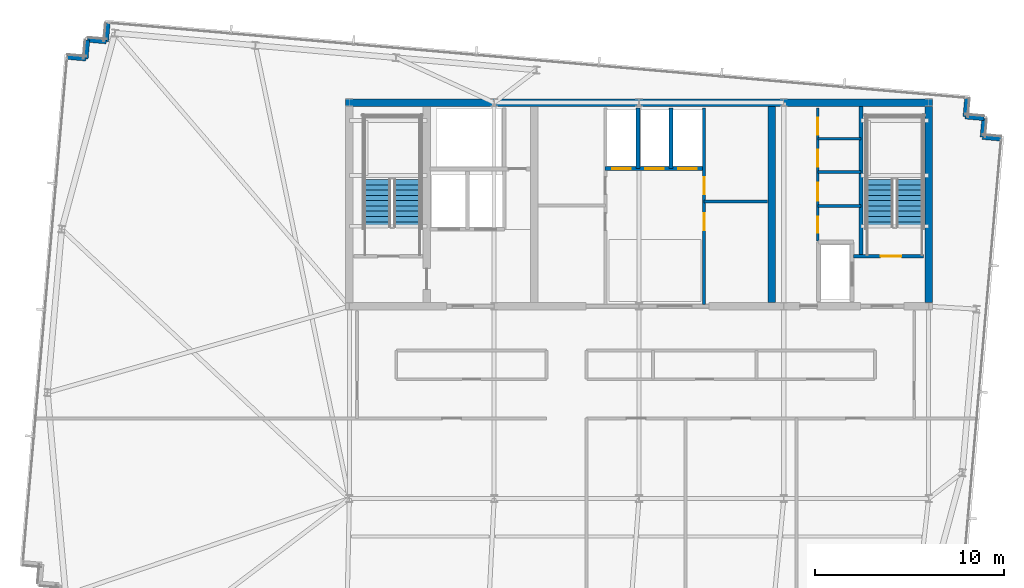
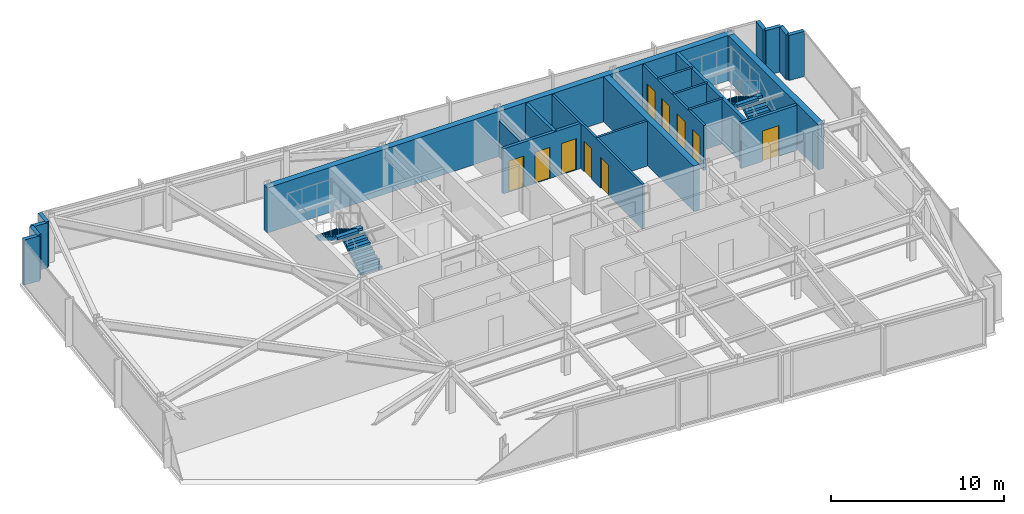
# One storey, part 28 of 32: 22 walls, 10 doors, 4 stair flights, 10 openings, 2 elements without a shape of their own.
"""IFC4 building model written with IfcOpenShell, lengths in metres."""

import ifcopenshell
import ifcopenshell.guid

model = None  # the IFC model being written
_history = None  # IfcOwnerHistory: only IFC2X3 demands one
_inside = {}  # id of a spatial element -> (the spatial element, [elements in it])
_under = {}  # id of a project, library or spatial element -> (it, [spatial elements below it])
_declared = {}  # id of a project -> (the project, [libraries it declares])
_typed = {}  # id of a type object -> (the type object, [elements of that type])
_made_of = {}  # id of a material, layer set ... -> (it, [elements and type objects made of it])


def new_model(schema):
    """Start an empty IFC model of exactly this schema.

    Asked for "IFC4X3", IfcOpenShell would pick the latest addendum, in which some entities
    have other attributes; the version numbers below select the first issue.
    IFC2X3 requires an IfcOwnerHistory on every rooted entity: one is made here for all.
    """
    global model, _history
    if schema == "IFC4X3":
        model = ifcopenshell.file(schema_version=(4, 3, 0, 0))
    else:
        model = ifcopenshell.file(schema=schema)
    _inside.clear()
    _under.clear()
    _declared.clear()
    _typed.clear()
    _made_of.clear()
    _history = None
    if model.schema == "IFC2X3":
        org = make("IfcOrganization", Name="unknown")
        user = make(
            "IfcPersonAndOrganization",
            ThePerson=make("IfcPerson", FamilyName="unknown"),
            TheOrganization=org,
        )
        app = make(
            "IfcApplication",
            ApplicationDeveloper=org,
            Version="unknown",
            ApplicationFullName="unknown",
            ApplicationIdentifier="unknown",
        )
        _history = make(
            "IfcOwnerHistory",
            OwningUser=user,
            OwningApplication=app,
            ChangeAction="ADDED",
            CreationDate=0,
        )
    return model


def make(cls, **values):
    """One entity of the class cls with the attributes given. An attribute that is None is left unset."""
    return model.create_entity(
        cls, **{name: value for name, value in values.items() if value is not None}
    )


def rooted(cls, **values):
    """An entity with a GlobalId (a new one), such as an element, a storey or a relation."""
    return make(cls, GlobalId=ifcopenshell.guid.new(), OwnerHistory=_history, **values)


def si_unit(unit_type, name, prefix=None):
    """IfcSIUnit, for example si_unit("LENGTHUNIT", "METRE", prefix="MILLI")."""
    return make("IfcSIUnit", UnitType=unit_type, Prefix=prefix, Name=name)


def assignment(units):
    """IfcUnitAssignment: the units of a project."""
    return None if units is None else make("IfcUnitAssignment", Units=units)


def point(xyz):
    """IfcCartesianPoint."""
    return None if xyz is None else make("IfcCartesianPoint", Coordinates=xyz)


def direction(xyz):
    """IfcDirection."""
    return None if xyz is None else make("IfcDirection", DirectionRatios=xyz)


def frame(location, z_axis=None, x_axis=None):
    """IfcAxis2Placement3D, a coordinate frame: its origin and axes. An axis left out is left unset."""
    return make(
        "IfcAxis2Placement3D",
        Location=point(location),
        Axis=direction(z_axis),
        RefDirection=direction(x_axis),
    )


def frame_2d(location, x_axis=None):
    """IfcAxis2Placement2D, a coordinate frame in the plane: its origin and x axis."""
    return make(
        "IfcAxis2Placement2D", Location=point(location), RefDirection=direction(x_axis)
    )


def origin():
    """The frame at (0, 0, 0) with its axes left unset."""
    return frame((0.0, 0.0, 0.0))


def place(relative_to, where):
    """IfcLocalPlacement: puts the frame where relative to a parent placement (None: the world)."""
    return make(
        "IfcLocalPlacement", PlacementRelTo=relative_to, RelativePlacement=where
    )


def context(
    kind, dimensions, precision=None, world=None, true_north=None, identifier=None
):
    """IfcGeometricRepresentationContext, for example the 3D "Model" context."""
    return make(
        "IfcGeometricRepresentationContext",
        ContextIdentifier=identifier,
        ContextType=kind,
        CoordinateSpaceDimension=dimensions,
        Precision=precision,
        WorldCoordinateSystem=world,
        TrueNorth=true_north,
    )


def subcontext(parent, identifier, kind, view, scale=None):
    """IfcGeometricRepresentationSubContext, for example "Body" below "Model"."""
    return make(
        "IfcGeometricRepresentationSubContext",
        ContextIdentifier=identifier,
        ContextType=kind,
        ParentContext=parent,
        TargetScale=scale,
        TargetView=view,
    )


def project(units=None, contexts=None):
    """IfcProject with its units and contexts."""
    return rooted(
        "IfcProject",
        Name="project",
        RepresentationContexts=contexts,
        UnitsInContext=assignment(units),
    )


def spatial(cls, under=None, at=None, **own):
    """A site, building, storey or space (cls), placed at a placement, below another one or the project."""
    s = rooted(cls, ObjectPlacement=at, **own)
    if under is not None:
        _under.setdefault(under.id(), (under, []))[1].append(s)
    return s


def polyline(points):
    """IfcPolyline through the points."""
    return make("IfcPolyline", Points=[point(p) for p in points])


def profile(cls, at=None, kind="AREA", **sizes):
    """A parametric profile (cls). Its sizes go by their IFC names, for example OverallWidth=200.0."""
    return make(cls, ProfileType=kind, Position=at, **sizes)


def rectangle(**sizes):
    """IfcRectangleProfileDef."""
    return profile("IfcRectangleProfileDef", **sizes)


def outline(outer, holes=None, kind="AREA"):
    """IfcArbitraryClosedProfileDef: a profile drawn as a closed curve; with holes, ...WithVoids."""
    if holes is None:
        return make("IfcArbitraryClosedProfileDef", ProfileType=kind, OuterCurve=outer)
    return make(
        "IfcArbitraryProfileDefWithVoids",
        ProfileType=kind,
        OuterCurve=outer,
        InnerCurves=holes,
    )


def extrude(swept, where, along, depth):
    """IfcExtrudedAreaSolid: the profile swept, set in the frame where, extruded along a direction by depth."""
    return make(
        "IfcExtrudedAreaSolid",
        SweptArea=swept,
        Position=where,
        ExtrudedDirection=direction(along),
        Depth=depth,
    )


def shape(context_of_items, identifier, shape_type, items):
    """IfcShapeRepresentation: the items that make up one representation, for example the "Body"."""
    return make(
        "IfcShapeRepresentation",
        ContextOfItems=context_of_items,
        RepresentationIdentifier=identifier,
        RepresentationType=shape_type,
        Items=items,
    )


def material(Name=None, Category=None):
    """IfcMaterial."""
    return make("IfcMaterial", Name=Name, Category=Category)


def layer(
    of_material, thickness, ventilated=None, Name=None, Category=None, Priority=None
):
    """IfcMaterialLayer: one layer of a wall or slab, of a material (None: an air gap)."""
    return make(
        "IfcMaterialLayer",
        Material=of_material,
        LayerThickness=thickness,
        IsVentilated=ventilated,
        Name=Name,
        Category=Category,
        Priority=Priority,
    )


def layer_set(layers, Name=None):
    """IfcMaterialLayerSet."""
    return make("IfcMaterialLayerSet", MaterialLayers=layers, LayerSetName=Name)


def made_of(thing, what):
    """Note that an element or type object is made of a material, layer set ...; save() writes the relation."""
    if what is not None:
        _made_of.setdefault(what.id(), (what, []))[1].append(thing)
    return thing


def type_object(cls, material=None, **own):
    """A type object (cls), such as IfcWallType, which elements share."""
    return made_of(rooted(cls, **own), material)


def element(
    cls,
    number,
    at=None,
    inside=None,
    cuts=None,
    type_object=None,
    material=None,
    context=None,
    identifier="Body",
    shape_type=None,
    held_by="IfcProductDefinitionShape",
    body=None,
    shapes=None,
    **own,
):
    """One element of the class cls, such as IfcWall. Its Tag is "e" and its number.

    at: its placement. inside: the storey or other place that contains it. cuts: it is an
    opening in that element (IfcRelVoidsElement). A single representation is given by context,
    identifier, shape_type and body (its items); several are given by shapes. held_by: the class
    of the entity that holds the representations. save() writes the other relations.
    """
    e = rooted(cls, Tag="e%d" % number, ObjectPlacement=at, **own)
    if body is not None:
        shapes = [shape(context, identifier, shape_type, body)]
    if shapes is not None:
        e.Representation = make(held_by, Representations=shapes)
    if inside is not None:
        _inside.setdefault(inside.id(), (inside, []))[1].append(e)
    if cuts is not None:
        rooted(
            "IfcRelVoidsElement", RelatingBuildingElement=cuts, RelatedOpeningElement=e
        )
    if type_object is not None:
        _typed.setdefault(type_object.id(), (type_object, []))[1].append(e)
    return made_of(e, material)


def fill(opening, filler):
    """IfcRelFillsElement: the door or window that sits in an opening."""
    return rooted(
        "IfcRelFillsElement",
        RelatingOpeningElement=opening,
        RelatedBuildingElement=filler,
    )


def aggregate(whole, parts):
    """IfcRelAggregates: a whole, such as a stair, and the parts it consists of."""
    return rooted("IfcRelAggregates", RelatingObject=whole, RelatedObjects=parts)


def save(model, path):
    """Write the relations noted so far, then the file.

    IfcRelAggregates (storeys below a building ...), IfcRelContainedInSpatialStructure (elements
    in a storey), IfcRelDefinesByType, IfcRelAssociatesMaterial and IfcRelDeclares: one each for
    every whole, place, type object, material and project.
    """
    for whole, parts in _under.values():
        aggregate(whole, parts)
    for where, things in _inside.values():
        rooted(
            "IfcRelContainedInSpatialStructure",
            RelatedElements=things,
            RelatingStructure=where,
        )
    for kind, things in _typed.values():
        rooted("IfcRelDefinesByType", RelatedObjects=things, RelatingType=kind)
    for what, things in _made_of.values():
        rooted("IfcRelAssociatesMaterial", RelatedObjects=things, RelatingMaterial=what)
    for by, libraries in _declared.values():
        rooted("IfcRelDeclares", RelatingContext=by, RelatedDefinitions=libraries)
    model.write(path)


model = new_model("IFC4")

# Units and contexts
model_context = context("Model", 3, precision=1e-05, world=origin(), true_north=direction((0.0, 1.0)))
body_context = subcontext(model_context, "Body", "Model", "MODEL_VIEW")
ifc_project = project(units=[si_unit("LENGTHUNIT", "METRE"), si_unit("AREAUNIT", "SQUARE_METRE"), si_unit("VOLUMEUNIT", "CUBIC_METRE"), si_unit("PLANEANGLEUNIT", "RADIAN"), si_unit("MASSUNIT", "GRAM", prefix="KILO")], contexts=[model_context])

# Site, building, storey
site_placement = place(None, origin())
site = spatial("IfcSite", under=ifc_project, at=site_placement, CompositionType="ELEMENT")
building_placement = place(site_placement, origin())
building = spatial("IfcBuilding", under=site, at=building_placement, Name="Yelkora Congress Tower", CompositionType="ELEMENT")
storey_placement = place(building_placement, frame((0.0, 0.0, 293.10009765625)))
storey = spatial("IfcBuildingStorey", under=building, at=storey_placement, Name="L82", CompositionType="ELEMENT", Elevation=293.10009765625)

# Walls
ifc_material_1 = material(Name="Concrete C50/60", Category="concrete")
ifc_layer_1 = layer(ifc_material_1, 0.219970703125)
ifc_layer_set_1 = layer_set([ifc_layer_1], Name="Concrete C50/60")
wall_type_1 = type_object("IfcWallType", Name="WALL-CORE-INT-220", PredefinedType="SHEAR", material=ifc_layer_set_1)
wall_1_placement = place(storey_placement, frame((50.179931640625, 38.050048828125, 0.0), z_axis=(0.0, 0.0, 1.0), x_axis=(0.0, 1.0, 0.0)))
element("IfcWall", 1, at=wall_1_placement, inside=storey, type_object=wall_type_1, Name="L82 ST02 West Stair Shear Wall", PredefinedType="SHEAR", context=body_context, shape_type="SweptSolid", body=[
    extrude(rectangle(XDim=7.949951171875, YDim=0.219970703125, at=frame_2d((3.97509765625, 0.0))), origin(), (0.0, 0.0, 1.0), 3.179931640625),
])
ifc_layer_2 = layer(ifc_material_1, 0.39990234375)
ifc_layer_set_2 = layer_set([ifc_layer_2], Name="Concrete C50/60")
wall_type_2 = type_object("IfcWallType", Name="WALL-CORE-INT-400", PredefinedType="SHEAR", material=ifc_layer_set_2)
wall_2_placement = place(storey_placement, frame((22.840087890625, 46.199951171875, 0.0), z_axis=(0.0, 0.0, 1.0), x_axis=(1.0, 0.0, 0.0)))
element("IfcWall", 2, at=wall_2_placement, inside=storey, type_object=wall_type_2, Name="L82 Rear Core North Shear Wall", PredefinedType="SHEAR", context=body_context, shape_type="SweptSolid", body=[
    extrude(rectangle(XDim=31.119873046875, YDim=0.39990234375, at=frame_2d((15.56005859375, 0.0))), origin(), (0.0, 0.0, 1.0), 3.179931640625),
])
for number, where, z_axis, x_axis, name in (
    (3, (45.449951171875, 35.60009765625, 0.0), (0.0, 0.0, 1.0), (0.0, 1.0, 0.0), "L82 Rear Core Cross Shear Wall C3"),
    (4, (53.760009765625, 35.60009765625, 0.0), (0.0, 0.0, 1.0), (0.0, 1.0, 0.0), "L82 Rear Core Cross Shear Wall E"),
):
    element("IfcWall", number, at=place(storey_placement, frame(where, z_axis=z_axis, x_axis=x_axis)), inside=storey, type_object=wall_type_2, Name=name, PredefinedType="SHEAR", context=body_context, shape_type="SweptSolid", body=[
        extrude(rectangle(XDim=10.39990234375, YDim=0.39990234375, at=frame_2d((5.199951171875, 0.0))), origin(), (0.0, 0.0, 1.0), 3.179931640625),
    ])
ifc_material_2 = material(Name="Concrete C40/50", Category="concrete")
ifc_layer_3 = layer(ifc_material_2, 0.239990234375)
ifc_layer_set_3 = layer_set([ifc_layer_3], Name="Concrete C40/50")
wall_type_3 = type_object("IfcWallType", Name="WALL-EXT-LIMESTONE-240", PredefinedType="SOLIDWALL", material=ifc_layer_set_3)
for number, where, z_axis, x_axis, name in (
    (5, (8.0732421875, 48.609619140625, 0.0), (0.0, 0.0, 1.0), (0.996195572005, -0.087145753297, 0.0), "L82 Serrated Corner Limestone Pier 6"),
    (6, (9.069580078125, 48.5224609375, 0.0), (0.0, 0.0, 1.0), (0.087145753297, 0.996195572005, 0.0), "L82 Serrated Corner Limestone Pier 7"),
):
    element("IfcWall", number, at=place(storey_placement, frame(where, z_axis=z_axis, x_axis=x_axis)), inside=storey, type_object=wall_type_3, Name=name, PredefinedType="SOLIDWALL", context=body_context, shape_type="SweptSolid", body=[
        extrude(rectangle(XDim=1.000244140625, YDim=0.239990234375, at=frame_2d((0.5, 0.0))), origin(), (0.0, 0.0, 1.0), 3.179931640625),
    ])
for number, where, z_axis, x_axis, name in (
    (7, (9.15673828125, 49.518798828125, 0.0), (0.0, 0.0, 1.0), (0.996193717496, -0.087166950281, 0.0), "L82 Serrated Corner Limestone Pier 8"),
    (8, (10.15283203125, 49.431640625, 0.0), (0.0, 0.0, 1.0), (0.087166950281, 0.996193717496, 0.0), "L82 Serrated Corner Limestone Pier 9"),
    (9, (55.785888671875, 46.443115234375, 0.0), (0.0, 0.0, 1.0), (-0.086903493655, -0.996216734848, 0.0), "L82 Serrated Corner Limestone Pier 11"),
    (10, (55.698974609375, 45.44677734375, 0.0), (0.0, 0.0, 1.0), (0.996193717496, -0.087166950281, 0.0), "L82 Serrated Corner Limestone Pier 12"),
    (11, (56.695068359375, 45.359619140625, 0.0), (0.0, 0.0, 1.0), (-0.087166950281, -0.996193717496, 0.0), "L82 Serrated Corner Limestone Pier 13"),
    (12, (56.60791015625, 44.363525390625, 0.0), (0.0, 0.0, 1.0), (0.996193717496, -0.087166950281, 0.0), "L82 Serrated Corner Limestone Pier 14"),
):
    element("IfcWall", number, at=place(storey_placement, frame(where, z_axis=z_axis, x_axis=x_axis)), inside=storey, type_object=wall_type_3, Name=name, PredefinedType="SOLIDWALL", context=body_context, shape_type="SweptSolid", body=[
        extrude(rectangle(XDim=1.0, YDim=0.239990234375, at=frame_2d((0.5, 0.0))), origin(), (0.0, 0.0, 1.0), 3.179931640625),
    ])
ifc_material_3 = material(Name="Acoustic metal-stud gypsum partition", Category="gypsum")
ifc_layer_4 = layer(ifc_material_3, 0.14990234375)
ifc_layer_set_4 = layer_set([ifc_layer_4], Name="Acoustic metal-stud gypsum partition")
wall_type_4 = type_object("IfcWallType", Name="WALL-INT-150-NR", PredefinedType="PARTITIONING", material=ifc_layer_set_4)
for number, where, z_axis, x_axis, name in (
    (13, (47.8798828125, 40.719970703125, 0.0), (0.0, 0.0, 1.0), (1.0, 0.0, 0.0), "L82 Partition Wall 20"),
    (14, (47.8798828125, 42.52001953125, 0.0), (0.0, 0.0, 1.0), (1.0, 0.0, 0.0), "L82 Partition Wall 21"),
    (15, (47.8798828125, 44.280029296875, 0.0), (0.0, 0.0, 1.0), (1.0, 0.0, 0.0), "L82 Partition Wall 22"),
):
    element("IfcWall", number, at=place(storey_placement, frame(where, z_axis=z_axis, x_axis=x_axis)), inside=storey, type_object=wall_type_4, Name=name, PredefinedType="PARTITIONING", context=body_context, shape_type="SweptSolid", body=[
        extrude(rectangle(XDim=2.300048828125, YDim=0.14990234375, at=frame_2d((1.14990234375, 0.0))), origin(), (0.0, 0.0, 1.0), 3.179931640625),
    ])

# Wall, openings, doors
wall_3_placement = place(storey_placement, frame((47.8798828125, 38.85009765625, 0.0), z_axis=(0.0, 0.0, 1.0), x_axis=(0.0, 1.0, 0.0)))
wall_3 = element("IfcWall", 16, at=wall_3_placement, inside=storey, type_object=wall_type_4, Name="L82 Partition Wall 23", PredefinedType="PARTITIONING", context=body_context, shape_type="SweptSolid", body=[
    extrude(rectangle(XDim=7.06982421875, YDim=0.14990234375, at=frame_2d((3.534912109375, 0.0))), origin(), (0.0, 0.0, 1.0), 3.179931640625),
])
opening_1_placement = place(wall_3_placement, frame((0.449951171875, 0.0, 0.0)))
opening_1 = element("IfcOpeningElement", 17, at=opening_1_placement, cuts=wall_3, Name="Opening DR-085N", PredefinedType="OPENING", context=body_context, shape_type="SweptSolid", body=[
    extrude(rectangle(XDim=0.85009765625, YDim=2.14990234375, at=frame_2d((0.425048828125, 1.074951171875))), frame((0.0, 0.0849609375, 0.0), z_axis=(0.0, -1.0, 0.0), x_axis=(1.0, 0.0, 0.0)), (0.0, 0.0, 1.0), 0.169921875),
])
opening_2_placement = place(wall_3_placement, frame((2.14990234375, 0.0, 0.0)))
opening_2 = element("IfcOpeningElement", 18, at=opening_2_placement, cuts=wall_3, Name="Opening DR-095N", PredefinedType="OPENING", context=body_context, shape_type="SweptSolid", body=[
    extrude(rectangle(XDim=0.949951171875, YDim=2.14990234375, at=frame_2d((0.47509765625, 1.074951171875))), frame((0.0, 0.0849609375, 0.0), z_axis=(0.0, -1.0, 0.0), x_axis=(1.0, 0.0, 0.0)), (0.0, 0.0, 1.0), 0.169921875),
])
opening_3_placement = place(wall_3_placement, frame((3.949951171875, 0.0, 0.0)))
opening_3 = element("IfcOpeningElement", 19, at=opening_3_placement, cuts=wall_3, Name="Opening DR-090N", PredefinedType="OPENING", context=body_context, shape_type="SweptSolid", body=[
    extrude(rectangle(XDim=0.89990234375, YDim=2.14990234375, at=frame_2d((0.449951171875, 1.074951171875))), frame((0.0, 0.0849609375, 0.0), z_axis=(0.0, -1.0, 0.0), x_axis=(1.0, 0.0, 0.0)), (0.0, 0.0, 1.0), 0.169921875),
])
opening_4_placement = place(wall_3_placement, frame((5.64990234375, 0.0, 0.0)))
opening_4 = element("IfcOpeningElement", 20, at=opening_4_placement, cuts=wall_3, Name="Opening DR-090N", PredefinedType="OPENING", context=body_context, shape_type="SweptSolid", body=[
    extrude(rectangle(XDim=0.89990234375, YDim=2.14990234375, at=frame_2d((0.449951171875, 1.074951171875))), frame((0.0, 0.0849609375, 0.0), z_axis=(0.0, -1.0, 0.0), x_axis=(1.0, 0.0, 0.0)), (0.0, 0.0, 1.0), 0.169921875),
])
ifc_material_4 = material(Name="Laminate service store door leaf", Category="wood")
door_type_1 = type_object("IfcDoorType", Name="DOOR-INT-850", OperationType="NOTDEFINED", PredefinedType="DOOR", material=ifc_material_4)
door_1_placement = place(opening_1_placement, origin())
door_1 = element("IfcDoor", 21, at=door_1_placement, inside=storey, type_object=door_type_1, Name="L82 Janitor Room Door", OperationType="SINGLE_SWING_LEFT", OverallHeight=2.14990234375, OverallWidth=0.85009765625, PredefinedType="DOOR", context=body_context, shape_type="SweptSolid", body=[
    extrude(rectangle(XDim=0.85009765625, YDim=2.14990234375, at=frame_2d((0.425048828125, 1.074951171875))), frame((0.0, 0.02490234375, 0.0), z_axis=(0.0, -1.0, 0.0), x_axis=(1.0, 0.0, 0.0)), (0.0, 0.0, 1.0), 0.050048828125),
])
fill(opening_1, door_1)
ifc_material_5 = material(Name="Moisture-resistant laminate door leaf", Category="wood")
door_type_2 = type_object("IfcDoorType", Name="DOOR-INT-900", OperationType="NOTDEFINED", PredefinedType="DOOR", material=ifc_material_5)
door_2_placement = place(opening_3_placement, origin())
door_2 = element("IfcDoor", 22, at=door_2_placement, inside=storey, type_object=door_type_2, Name="L82 Male WC Door", OperationType="SINGLE_SWING_LEFT", OverallHeight=2.14990234375, OverallWidth=0.89990234375, PredefinedType="DOOR", context=body_context, shape_type="SweptSolid", body=[
    extrude(rectangle(XDim=0.89990234375, YDim=2.14990234375, at=frame_2d((0.449951171875, 1.074951171875))), frame((0.0, 0.02490234375, 0.0), z_axis=(0.0, -1.0, 0.0), x_axis=(1.0, 0.0, 0.0)), (0.0, 0.0, 1.0), 0.050048828125),
])
fill(opening_3, door_2)
door_3_placement = place(opening_4_placement, origin())
door_3 = element("IfcDoor", 23, at=door_3_placement, inside=storey, type_object=door_type_2, Name="L82 Female WC Door", OperationType="SINGLE_SWING_RIGHT", OverallHeight=2.14990234375, OverallWidth=0.89990234375, PredefinedType="DOOR", context=body_context, shape_type="SweptSolid", body=[
    extrude(rectangle(XDim=0.89990234375, YDim=2.14990234375, at=frame_2d((0.449951171875, 1.074951171875))), frame((0.0, 0.02490234375, 0.0), z_axis=(0.0, -1.0, 0.0), x_axis=(1.0, 0.0, 0.0)), (0.0, 0.0, 1.0), 0.050048828125),
])
fill(opening_4, door_3)
ifc_material_6 = material(Name="Acoustic laminated timber office door", Category="wood")
door_type_3 = type_object("IfcDoorType", Name="DOOR-INT-950", OperationType="NOTDEFINED", PredefinedType="DOOR", material=ifc_material_6)
door_4_placement = place(opening_2_placement, origin())
door_4 = element("IfcDoor", 24, at=door_4_placement, inside=storey, type_object=door_type_3, Name="L82 Accessible WC Door", OperationType="SINGLE_SWING_RIGHT", OverallHeight=2.14990234375, OverallWidth=0.949951171875, PredefinedType="DOOR", context=body_context, shape_type="SweptSolid", body=[
    extrude(rectangle(XDim=0.949951171875, YDim=2.14990234375, at=frame_2d((0.47509765625, 1.074951171875))), frame((0.0, 0.02490234375, 0.0), z_axis=(0.0, -1.0, 0.0), x_axis=(1.0, 0.0, 0.0)), (0.0, 0.0, 1.0), 0.050048828125),
])
fill(opening_2, door_4)

# Wall
ifc_material_7 = material(Name="Twin-stud fire-rated gypsum partition", Category="gypsum")
ifc_layer_5 = layer(ifc_material_7, 0.14990234375)
ifc_layer_set_5 = layer_set([ifc_layer_5], Name="Twin-stud fire-rated gypsum partition")
wall_type_5 = type_object("IfcWallType", Name="WALL-INT-150-R60", PredefinedType="PARTITIONING", material=ifc_layer_set_5)
wall_4_placement = place(storey_placement, frame((41.85009765625, 40.949951171875, 0.0), z_axis=(0.0, 0.0, 1.0), x_axis=(1.0, 0.0, 0.0)))
element("IfcWall", 25, at=wall_4_placement, inside=storey, type_object=wall_type_5, Name="L82 Partition Wall 13", PredefinedType="PARTITIONING", context=body_context, shape_type="SweptSolid", body=[
    extrude(rectangle(XDim=3.369873046875, YDim=0.14990234375, at=frame_2d((1.68505859375, 0.0))), origin(), (0.0, 0.0, 1.0), 3.179931640625),
])

# Wall, openings, doors
wall_5_placement = place(storey_placement, frame((41.85009765625, 35.5, 0.0), z_axis=(0.0, 0.0, 1.0), x_axis=(0.0, 1.0, 0.0)))
wall_5 = element("IfcWall", 26, at=wall_5_placement, inside=storey, type_object=wall_type_5, Name="L82 Partition Wall 14", PredefinedType="PARTITIONING", context=body_context, shape_type="SweptSolid", body=[
    extrude(rectangle(XDim=10.419921875, YDim=0.14990234375, at=frame_2d((5.2099609375, 0.0))), origin(), (0.0, 0.0, 1.0), 3.179931640625),
])
opening_5_placement = place(wall_5_placement, frame((3.919921875, 0.0, 0.0)))
opening_5 = element("IfcOpeningElement", 27, at=opening_5_placement, cuts=wall_5, Name="Opening DR-090F6", PredefinedType="OPENING", context=body_context, shape_type="SweptSolid", body=[
    extrude(rectangle(XDim=0.89990234375, YDim=2.14990234375, at=frame_2d((0.449951171875, 1.074951171875))), frame((0.0, 0.0849609375, 0.0), z_axis=(0.0, -1.0, 0.0), x_axis=(1.0, 0.0, 0.0)), (0.0, 0.0, 1.0), 0.169921875),
])
opening_6_placement = place(wall_5_placement, frame((5.85009765625, 0.0, 0.0)))
opening_6 = element("IfcOpeningElement", 28, at=opening_6_placement, cuts=wall_5, Name="Opening DR-090F6", PredefinedType="OPENING", context=body_context, shape_type="SweptSolid", body=[
    extrude(rectangle(XDim=0.89990234375, YDim=2.14990234375, at=frame_2d((0.449951171875, 1.074951171875))), frame((0.0, 0.0849609375, 0.0), z_axis=(0.0, -1.0, 0.0), x_axis=(1.0, 0.0, 0.0)), (0.0, 0.0, 1.0), 0.169921875),
])
ifc_material_8 = material(Name="Painted steel riser fire door leaf", Category="steel")
door_type_4 = type_object("IfcDoorType", Name="DOOR-FD60-900", OperationType="NOTDEFINED", PredefinedType="DOOR", material=ifc_material_8)
door_5_placement = place(opening_5_placement, origin())
door_5 = element("IfcDoor", 29, at=door_5_placement, inside=storey, type_object=door_type_4, Name="L82 High-Zone BMS Door", OperationType="SINGLE_SWING_RIGHT", OverallHeight=2.14990234375, OverallWidth=0.89990234375, PredefinedType="DOOR", context=body_context, shape_type="SweptSolid", body=[
    extrude(rectangle(XDim=0.89990234375, YDim=2.14990234375, at=frame_2d((0.449951171875, 1.074951171875))), frame((0.0, 0.02490234375, 0.0), z_axis=(0.0, -1.0, 0.0), x_axis=(1.0, 0.0, 0.0)), (0.0, 0.0, 1.0), 0.050048828125),
])
fill(opening_5, door_5)
door_6_placement = place(opening_6_placement, origin())
door_6 = element("IfcDoor", 30, at=door_6_placement, inside=storey, type_object=door_type_4, Name="L82 Linen Store Door", OperationType="SINGLE_SWING_LEFT", OverallHeight=2.14990234375, OverallWidth=0.89990234375, PredefinedType="DOOR", context=body_context, shape_type="SweptSolid", body=[
    extrude(rectangle(XDim=0.89990234375, YDim=2.14990234375, at=frame_2d((0.449951171875, 1.074951171875))), frame((0.0, 0.02490234375, 0.0), z_axis=(0.0, -1.0, 0.0), x_axis=(1.0, 0.0, 0.0)), (0.0, 0.0, 1.0), 0.050048828125),
])
fill(opening_6, door_6)

ifc_material_9 = material(Name="Autoclaved aerated concrete blockwork", Category="masonry")
ifc_layer_6 = layer(ifc_material_9, 0.199951171875)
ifc_layer_set_6 = layer_set([ifc_layer_6], Name="Autoclaved aerated concrete blockwork")
wall_type_6 = type_object("IfcWallType", Name="WALL-INT-200-R120", PredefinedType="PARTITIONING", material=ifc_layer_set_6)
wall_6_placement = place(storey_placement, frame((36.60009765625, 42.699951171875, 0.0), z_axis=(0.0, 0.0, 1.0), x_axis=(1.0, 0.0, 0.0)))
wall_6 = element("IfcWall", 31, at=wall_6_placement, inside=storey, type_object=wall_type_6, Name="L82 Partition Wall 8", PredefinedType="PARTITIONING", context=body_context, shape_type="SweptSolid", body=[
    extrude(rectangle(XDim=5.25, YDim=0.199951171875, at=frame_2d((2.625, 0.0))), origin(), (0.0, 0.0, 1.0), 3.179931640625),
])
opening_7_placement = place(wall_6_placement, frame((0.375, 0.0, 0.0)))
opening_7 = element("IfcOpeningElement", 32, at=opening_7_placement, cuts=wall_6, Name="Opening LD-PS10", PredefinedType="OPENING", context=body_context, shape_type="SweptSolid", body=[
    extrude(rectangle(XDim=1.0, YDim=2.199951171875, at=frame_2d((0.5, 1.10009765625))), frame((0.0, 0.10986328125, 0.0), z_axis=(0.0, -1.0, 0.0), x_axis=(1.0, 0.0, 0.0)), (0.0, 0.0, 1.0), 0.219970703125),
])
opening_8_placement = place(wall_6_placement, frame((2.125, 0.0, 0.0)))
opening_8 = element("IfcOpeningElement", 33, at=opening_8_placement, cuts=wall_6, Name="Opening LD-PS10", PredefinedType="OPENING", context=body_context, shape_type="SweptSolid", body=[
    extrude(rectangle(XDim=1.0, YDim=2.199951171875, at=frame_2d((0.5, 1.10009765625))), frame((0.0, 0.10986328125, 0.0), z_axis=(0.0, -1.0, 0.0), x_axis=(1.0, 0.0, 0.0)), (0.0, 0.0, 1.0), 0.219970703125),
])
opening_9_placement = place(wall_6_placement, frame((3.875, 0.0, 0.0)))
opening_9 = element("IfcOpeningElement", 34, at=opening_9_placement, cuts=wall_6, Name="Opening LD-PS10", PredefinedType="OPENING", context=body_context, shape_type="SweptSolid", body=[
    extrude(rectangle(XDim=1.0, YDim=2.199951171875, at=frame_2d((0.5, 1.10009765625))), frame((0.0, 0.10986328125, 0.0), z_axis=(0.0, -1.0, 0.0), x_axis=(1.0, 0.0, 0.0)), (0.0, 0.0, 1.0), 0.219970703125),
])
ifc_material_10 = material(Name="Champagne stainless steel landing door", Category="steel")
door_type_5 = type_object("IfcDoorType", Name="DOOR-LIFT-PAS-1000", OperationType="DOUBLE_DOOR_SLIDING", PredefinedType="DOOR", material=ifc_material_10)
door_7_placement = place(opening_7_placement, origin())
door_7 = element("IfcDoor", 35, at=door_7_placement, inside=storey, type_object=door_type_5, Name="Lift Landing Door LF-P9 L82", OperationType="DOUBLE_DOOR_SLIDING", OverallHeight=2.199951171875, OverallWidth=1.0, PredefinedType="DOOR", context=body_context, shape_type="SweptSolid", body=[
    extrude(rectangle(XDim=1.0, YDim=2.199951171875, at=frame_2d((0.5, 1.10009765625))), frame((0.0, 0.02490234375, 0.0), z_axis=(0.0, -1.0, 0.0), x_axis=(1.0, 0.0, 0.0)), (0.0, 0.0, 1.0), 0.050048828125),
])
fill(opening_7, door_7)
door_8_placement = place(opening_8_placement, origin())
door_8 = element("IfcDoor", 36, at=door_8_placement, inside=storey, type_object=door_type_5, Name="Lift Landing Door LF-P10 L82", OperationType="DOUBLE_DOOR_SLIDING", OverallHeight=2.199951171875, OverallWidth=1.0, PredefinedType="DOOR", context=body_context, shape_type="SweptSolid", body=[
    extrude(rectangle(XDim=1.0, YDim=2.199951171875, at=frame_2d((0.5, 1.10009765625))), frame((0.0, 0.02490234375, 0.0), z_axis=(0.0, -1.0, 0.0), x_axis=(1.0, 0.0, 0.0)), (0.0, 0.0, 1.0), 0.050048828125),
])
fill(opening_8, door_8)
door_9_placement = place(opening_9_placement, origin())
door_9 = element("IfcDoor", 37, at=door_9_placement, inside=storey, type_object=door_type_5, Name="Lift Landing Door LF-P11 L82", OperationType="DOUBLE_DOOR_SLIDING", OverallHeight=2.199951171875, OverallWidth=1.0, PredefinedType="DOOR", context=body_context, shape_type="SweptSolid", body=[
    extrude(rectangle(XDim=1.0, YDim=2.199951171875, at=frame_2d((0.5, 1.10009765625))), frame((0.0, 0.02490234375, 0.0), z_axis=(0.0, -1.0, 0.0), x_axis=(1.0, 0.0, 0.0)), (0.0, 0.0, 1.0), 0.050048828125),
])
fill(opening_9, door_9)

# Walls
wall_7_placement = place(storey_placement, frame((38.35009765625, 42.699951171875, 0.0), z_axis=(0.0, 0.0, 1.0), x_axis=(0.0, 1.0, 0.0)))
element("IfcWall", 38, at=wall_7_placement, inside=storey, type_object=wall_type_6, Name="L82 Partition Wall 9", PredefinedType="PARTITIONING", context=body_context, shape_type="SweptSolid", body=[
    extrude(rectangle(XDim=3.219970703125, YDim=0.199951171875, at=frame_2d((1.60986328125, 0.0))), origin(), (0.0, 0.0, 1.0), 2.574951171875),
])
wall_8_placement = place(storey_placement, frame((40.10009765625, 42.699951171875, 0.0), z_axis=(0.0, 0.0, 1.0), x_axis=(0.0, 1.0, 0.0)))
element("IfcWall", 39, at=wall_8_placement, inside=storey, type_object=wall_type_6, Name="L82 Partition Wall 10", PredefinedType="PARTITIONING", context=body_context, shape_type="SweptSolid", body=[
    extrude(rectangle(XDim=3.219970703125, YDim=0.199951171875, at=frame_2d((1.60986328125, 0.0))), origin(), (0.0, 0.0, 1.0), 3.179931640625),
])

# Wall, opening, door
wall_9_placement = place(storey_placement, frame((49.780029296875, 38.050048828125, 0.0), z_axis=(0.0, 0.0, 1.0), x_axis=(1.0, 0.0, 0.0)))
wall_9 = element("IfcWall", 40, at=wall_9_placement, inside=storey, type_object=wall_type_6, Name="L82 Stair ST-02 Enclosure Wall", PredefinedType="PARTITIONING", context=body_context, shape_type="SweptSolid", body=[
    extrude(rectangle(XDim=3.719970703125, YDim=0.199951171875, at=frame_2d((1.85986328125, 0.0))), origin(), (0.0, 0.0, 1.0), 3.179931640625),
])
opening_10_placement = place(wall_9_placement, frame((1.436279296875, 0.0, 0.0)))
opening_10 = element("IfcOpeningElement", 41, at=opening_10_placement, cuts=wall_9, Name="Opening DR-110F9", PredefinedType="OPENING", context=body_context, shape_type="SweptSolid", body=[
    extrude(rectangle(XDim=1.10009765625, YDim=2.14990234375, at=frame_2d((0.550048828125, 1.074951171875))), frame((0.0, 0.10986328125, 0.0), z_axis=(0.0, -1.0, 0.0), x_axis=(1.0, 0.0, 0.0)), (0.0, 0.0, 1.0), 0.219970703125),
])
ifc_material_11 = material(Name="Galvanised steel fire door leaf", Category="steel")
door_type_6 = type_object("IfcDoorType", Name="DOOR-FD90-1100", OperationType="NOTDEFINED", PredefinedType="DOOR", material=ifc_material_11)
door_10_placement = place(opening_10_placement, origin())
door_10 = element("IfcDoor", 42, at=door_10_placement, inside=storey, type_object=door_type_6, Name="L82 Stair ST-02 Entry Door", OperationType="SINGLE_SWING_RIGHT", OverallHeight=2.14990234375, OverallWidth=1.10009765625, PredefinedType="DOOR", context=body_context, shape_type="SweptSolid", body=[
    extrude(rectangle(XDim=1.10009765625, YDim=2.14990234375, at=frame_2d((0.550048828125, 1.074951171875))), frame((0.0, 0.02490234375, 0.0), z_axis=(0.0, -1.0, 0.0), x_axis=(1.0, 0.0, 0.0)), (0.0, 0.0, 1.0), 0.050048828125),
])
fill(opening_10, door_10)

# Stair, stair flights
stair_type = type_object("IfcStairType", Name="STAIR-HT-1420-R20-170", PredefinedType="HALF_TURN_STAIR", material=ifc_material_2)
stair_1_placement = place(storey_placement, origin())
stair_1 = element("IfcStair", 43, at=stair_1_placement, inside=storey, type_object=stair_type, Name="West Core Protected Exit Stair ST-01 (L82)", PredefinedType="HALF_TURN_STAIR")
stair_flight_type = type_object("IfcStairFlightType", Name="FLIGHT-1420-N10-R170-G280", PredefinedType="STRAIGHT", material=ifc_material_2)
stair_flight_1_placement = place(storey_placement, frame((26.110107421875, 39.60009765625, 0.0), z_axis=(0.0, 0.0, 1.0), x_axis=(0.0, 1.0, 0.0)))
stair_flight_1 = element("IfcStairFlight", 44, at=stair_flight_1_placement, type_object=stair_flight_type, Name="ST-01 L82 Flight 1", NumberOfRisers=10, NumberOfTreads=9, PredefinedType="STRAIGHT", RiserHeight=0.17, TreadLength=0.28, context=body_context, shape_type="SweptSolid", body=[
    extrude(outline(polyline([(0.0, 0.0), (0.0, 0.169921875), (0.280029296875, 0.169921875), (0.280029296875, 0.340087890625), (0.56005859375, 0.340087890625), (0.56005859375, 0.510009765625), (0.840087890625, 0.510009765625), (0.840087890625, 0.679931640625), (1.1201171875, 0.679931640625), (1.1201171875, 0.85009765625), (1.39990234375, 0.85009765625), (1.39990234375, 1.02001953125), (1.679931640625, 1.02001953125), (1.679931640625, 1.18994140625), (1.9599609375, 1.18994140625), (1.9599609375, 1.360107421875), (2.239990234375, 1.360107421875), (2.239990234375, 1.530029296875), (2.52001953125, 1.530029296875), (2.52001953125, 1.699951171875), (2.52001953125, 1.343017578125), (0.30810546875, 0.0), (0.0, 0.0)])), frame((0.0, 0.7099609375, 0.0), z_axis=(0.0, -1.0, 0.0), x_axis=(1.0, 0.0, 0.0)), (0.0, 0.0, 1.0), 1.419921875),
])
stair_flight_2_placement = place(storey_placement, frame((24.530029296875, 42.1201171875, 1.699951171875), z_axis=(0.0, 0.0, 1.0), x_axis=(0.0, -1.0, 0.0)))
stair_flight_2 = element("IfcStairFlight", 45, at=stair_flight_2_placement, type_object=stair_flight_type, Name="ST-01 L82 Flight 2", NumberOfRisers=10, NumberOfTreads=9, PredefinedType="STRAIGHT", RiserHeight=0.17, TreadLength=0.28, context=body_context, shape_type="SweptSolid", body=[
    extrude(outline(polyline([(0.0, 0.0), (0.0, 0.169921875), (0.280029296875, 0.169921875), (0.280029296875, 0.340087890625), (0.56005859375, 0.340087890625), (0.56005859375, 0.510009765625), (0.840087890625, 0.510009765625), (0.840087890625, 0.679931640625), (1.1201171875, 0.679931640625), (1.1201171875, 0.85009765625), (1.39990234375, 0.85009765625), (1.39990234375, 1.02001953125), (1.679931640625, 1.02001953125), (1.679931640625, 1.18994140625), (1.9599609375, 1.18994140625), (1.9599609375, 1.360107421875), (2.239990234375, 1.360107421875), (2.239990234375, 1.530029296875), (2.52001953125, 1.530029296875), (2.52001953125, 1.699951171875), (2.52001953125, 1.343017578125), (0.30810546875, 0.0), (0.0, 0.0)])), frame((0.0, 0.7099609375, 0.0), z_axis=(0.0, -1.0, 0.0), x_axis=(1.0, 0.0, 0.0)), (0.0, 0.0, 1.0), 1.419921875),
])
aggregate(stair_1, [stair_flight_1, stair_flight_2])

stair_2_placement = place(storey_placement, origin())
stair_2 = element("IfcStair", 46, at=stair_2_placement, inside=storey, type_object=stair_type, Name="East Core Protected Exit Stair ST-02 (L82)", PredefinedType="HALF_TURN_STAIR")
stair_flight_3_placement = place(storey_placement, frame((52.75, 39.60009765625, 0.0), z_axis=(0.0, 0.0, 1.0), x_axis=(0.0, 1.0, 0.0)))
stair_flight_3 = element("IfcStairFlight", 47, at=stair_flight_3_placement, type_object=stair_flight_type, Name="ST-02 L82 Flight 1", NumberOfRisers=10, NumberOfTreads=9, PredefinedType="STRAIGHT", RiserHeight=0.17, TreadLength=0.28, context=body_context, shape_type="SweptSolid", body=[
    extrude(outline(polyline([(0.0, 0.0), (0.0, 0.169921875), (0.280029296875, 0.169921875), (0.280029296875, 0.340087890625), (0.56005859375, 0.340087890625), (0.56005859375, 0.510009765625), (0.840087890625, 0.510009765625), (0.840087890625, 0.679931640625), (1.1201171875, 0.679931640625), (1.1201171875, 0.85009765625), (1.39990234375, 0.85009765625), (1.39990234375, 1.02001953125), (1.679931640625, 1.02001953125), (1.679931640625, 1.18994140625), (1.9599609375, 1.18994140625), (1.9599609375, 1.360107421875), (2.239990234375, 1.360107421875), (2.239990234375, 1.530029296875), (2.52001953125, 1.530029296875), (2.52001953125, 1.699951171875), (2.52001953125, 1.343017578125), (0.30810546875, 0.0), (0.0, 0.0)])), frame((0.0, 0.7099609375, 0.0), z_axis=(0.0, -1.0, 0.0), x_axis=(1.0, 0.0, 0.0)), (0.0, 0.0, 1.0), 1.419921875),
])
stair_flight_4_placement = place(storey_placement, frame((51.169921875, 42.1201171875, 1.699951171875), z_axis=(0.0, 0.0, 1.0), x_axis=(0.0, -1.0, 0.0)))
stair_flight_4 = element("IfcStairFlight", 48, at=stair_flight_4_placement, type_object=stair_flight_type, Name="ST-02 L82 Flight 2", NumberOfRisers=10, NumberOfTreads=9, PredefinedType="STRAIGHT", RiserHeight=0.17, TreadLength=0.28, context=body_context, shape_type="SweptSolid", body=[
    extrude(outline(polyline([(0.0, 0.0), (0.0, 0.169921875), (0.280029296875, 0.169921875), (0.280029296875, 0.340087890625), (0.56005859375, 0.340087890625), (0.56005859375, 0.510009765625), (0.840087890625, 0.510009765625), (0.840087890625, 0.679931640625), (1.1201171875, 0.679931640625), (1.1201171875, 0.85009765625), (1.39990234375, 0.85009765625), (1.39990234375, 1.02001953125), (1.679931640625, 1.02001953125), (1.679931640625, 1.18994140625), (1.9599609375, 1.18994140625), (1.9599609375, 1.360107421875), (2.239990234375, 1.360107421875), (2.239990234375, 1.530029296875), (2.52001953125, 1.530029296875), (2.52001953125, 1.699951171875), (2.52001953125, 1.343017578125), (0.30810546875, 0.0), (0.0, 0.0)])), frame((0.0, 0.7099609375, 0.0), z_axis=(0.0, -1.0, 0.0), x_axis=(1.0, 0.0, 0.0)), (0.0, 0.0, 1.0), 1.419921875),
])
aggregate(stair_2, [stair_flight_3, stair_flight_4])

save(model, "model.ifc")
